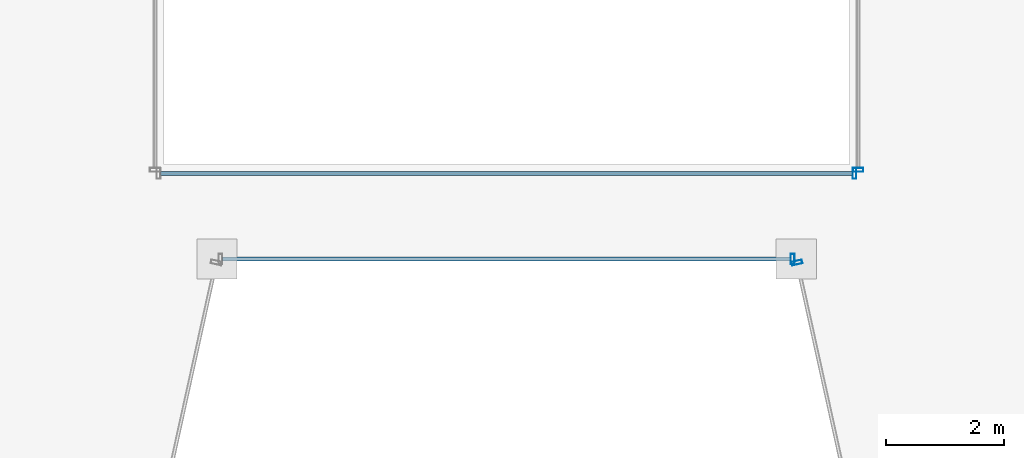
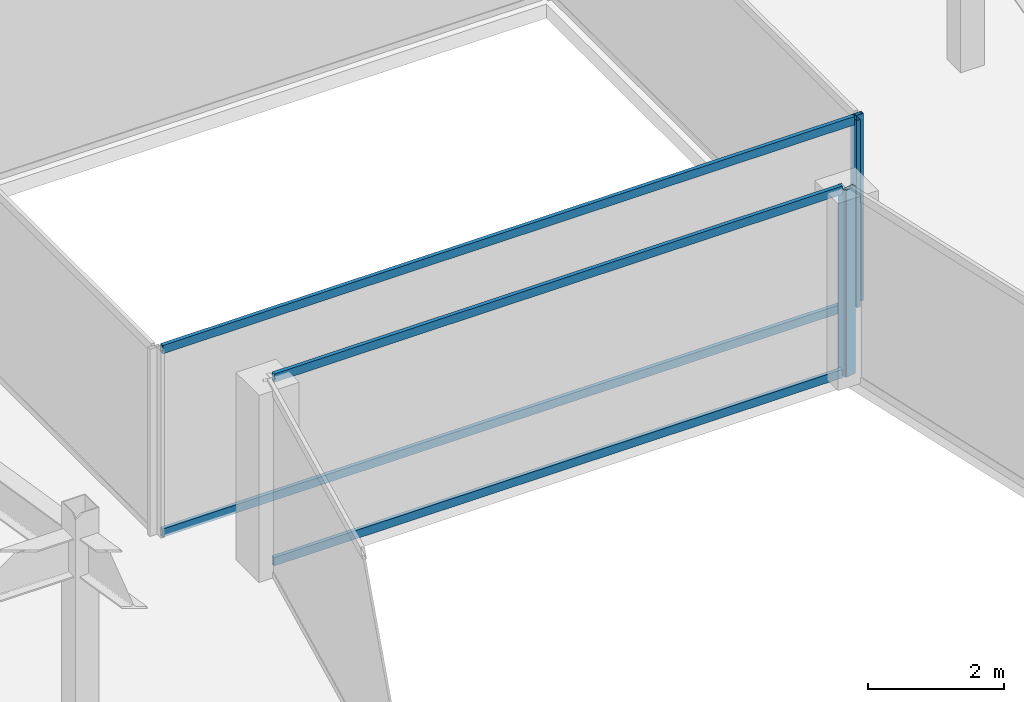
# One storey, part 8 of 34: 8 members, 4 elements without a shape of their own.
"""IFC4 building model written with IfcOpenShell, lengths in metres."""

from ifc_helpers import new_model, si_unit, direction, frame, origin, origin_2d, place, context, subcontext, project, spatial, hollow_rectangle, extrude, material, material_profile, profile_set, type_object, element, aggregate, save


model = new_model("IFC4")

# Units and contexts
model_context = context("Model", 3, precision=1e-05, world=origin(), true_north=direction((0.0, 1.0)))
body_context = subcontext(model_context, "Body", "Model", "MODEL_VIEW")
ifc_project = project(units=[si_unit("LENGTHUNIT", "METRE"), si_unit("AREAUNIT", "SQUARE_METRE"), si_unit("VOLUMEUNIT", "CUBIC_METRE"), si_unit("PLANEANGLEUNIT", "RADIAN"), si_unit("MASSUNIT", "GRAM", prefix="KILO")], contexts=[model_context])

# Site, building, storey
site_placement = place(None, origin())
site = spatial("IfcSite", under=ifc_project, at=site_placement, CompositionType="ELEMENT")
building_placement = place(site_placement, origin())
building = spatial("IfcBuilding", under=site, at=building_placement, Name="Saevonmaru Cultural Tower", CompositionType="ELEMENT")
storey_placement = place(building_placement, frame((0.0, 0.0, 220.800048828125)))
storey = spatial("IfcBuildingStorey", under=building, at=storey_placement, Name="L51", CompositionType="ELEMENT", Elevation=220.800048828125)

# Curtain wall, member
ifc_material = material(Name="Satin Bronze Anodised Aluminium", Category="aluminium")
curtain_wall_type_1 = type_object("IfcCurtainWallType", Name="CW-TYP-B", PredefinedType="NOTDEFINED", material=ifc_material)
curtain_wall_1_placement = place(storey_placement, origin())
curtain_wall_1 = element("IfcCurtainWall", 1, at=curtain_wall_1_placement, inside=storey, type_object=curtain_wall_type_1, Name="L51 Unitised Curtain Wall E4", PredefinedType="NOTDEFINED")
ifc_material_profile_1 = material_profile(ifc_material, hollow_rectangle(XDim=0.06494140625, YDim=0.179931640625, WallThickness=0.00390625, at=origin_2d()), Name="ALU-MULL-180x65x4")
ifc_profile_set_1 = profile_set([ifc_material_profile_1], Name="Satin Bronze Anodised Aluminium")
member_type_1 = type_object("IfcMemberType", Name="ML-CW-180x65", PredefinedType="MULLION", material=ifc_profile_set_1)
member_1_placement = place(storey_placement, frame((34.84228515625, 26.0, 0.0), z_axis=(0.0, 0.0, 1.0), x_axis=(1.0, 0.0, 0.0)))
member_1 = element("IfcMember", 2, at=member_1_placement, type_object=member_type_1, Name="CW-TW-L51-E4 mullion 2", PredefinedType="MULLION", context=body_context, shape_type="SweptSolid", body=[
    extrude(hollow_rectangle(XDim=0.06494140625, YDim=0.179931640625, WallThickness=0.00390625, at=origin_2d()), origin(), (0.0, 0.0, 1.0), 3.349853515625),
])

curtain_wall_2_placement = place(storey_placement, origin())
curtain_wall_2 = element("IfcCurtainWall", 3, at=curtain_wall_2_placement, inside=storey, type_object=curtain_wall_type_1, Name="L51 Unitised Curtain Wall E5", PredefinedType="NOTDEFINED")
member_2_placement = place(storey_placement, frame((34.9150390625, 25.94140625, 0.0), z_axis=(0.0, 0.0, 1.0), x_axis=(0.215413319953, -0.976522965212, 0.0)))
member_2 = element("IfcMember", 4, at=member_2_placement, type_object=member_type_1, Name="CW-TW-L51-E5 mullion 1", PredefinedType="MULLION", context=body_context, shape_type="SweptSolid", body=[
    extrude(hollow_rectangle(XDim=0.06494140625, YDim=0.179931640625, WallThickness=0.00390625, at=origin_2d()), origin(), (0.0, 0.0, 1.0), 3.349853515625),
])
aggregate(curtain_wall_2, [member_2])

curtain_wall_type_2 = type_object("IfcCurtainWallType", Name="CW-ATR-GLZ", PredefinedType="NOTDEFINED", material=ifc_material)
curtain_wall_3_placement = place(storey_placement, origin())
curtain_wall_3 = element("IfcCurtainWall", 5, at=curtain_wall_3_placement, inside=storey, type_object=curtain_wall_type_2, Name="L51 Vertical Atrium Glazed Smoke Screen 1", PredefinedType="NOTDEFINED")
ifc_material_profile_2 = material_profile(ifc_material, hollow_rectangle(XDim=0.06494140625, YDim=0.179931640625, WallThickness=0.00390625, at=origin_2d()), Name="ALU-MULL-180x65x4")
ifc_profile_set_2 = profile_set([ifc_material_profile_2], Name="Satin Bronze Anodised Aluminium")
member_type_2 = type_object("IfcMemberType", Name="ML-CW-INT-180x65", PredefinedType="MULLION", material=ifc_profile_set_2)
member_3_placement = place(storey_placement, frame((35.889892578125, 27.449951171875, 0.0), z_axis=(0.0, 0.0, 1.0), x_axis=(1.0, 0.0, 0.0)))
member_3 = element("IfcMember", 6, at=member_3_placement, type_object=member_type_2, Name="CW-ATR-L51-1 mullion 2", PredefinedType="MULLION", context=body_context, shape_type="SweptSolid", body=[
    extrude(hollow_rectangle(XDim=0.06494140625, YDim=0.179931640625, WallThickness=0.00390625, at=origin_2d()), origin(), (0.0, 0.0, 1.0), 3.349853515625),
])

curtain_wall_4_placement = place(storey_placement, origin())
curtain_wall_4 = element("IfcCurtainWall", 7, at=curtain_wall_4_placement, inside=storey, type_object=curtain_wall_type_2, Name="L51 Vertical Atrium Glazed Smoke Screen 2", PredefinedType="NOTDEFINED")
member_4_placement = place(storey_placement, frame((35.949951171875, 27.510009765625, 0.0), z_axis=(0.0, 0.0, 1.0), x_axis=(0.0, 1.0, 0.0)))
member_4 = element("IfcMember", 8, at=member_4_placement, type_object=member_type_2, Name="CW-ATR-L51-2 mullion 1", PredefinedType="MULLION", context=body_context, shape_type="SweptSolid", body=[
    extrude(hollow_rectangle(XDim=0.06494140625, YDim=0.179931640625, WallThickness=0.00390625, at=origin_2d()), origin(), (0.0, 0.0, 1.0), 3.349853515625),
])
aggregate(curtain_wall_4, [member_4])

# Member
ifc_material_profile_3 = material_profile(ifc_material, hollow_rectangle(XDim=0.06494140625, YDim=0.14990234375, WallThickness=0.00390625, at=origin_2d()), Name="ALU-TRAN-150x65x4")
ifc_profile_set_3 = profile_set([ifc_material_profile_3], Name="Satin Bronze Anodised Aluminium")
member_type_3 = type_object("IfcMemberType", Name="TR-CW-150x65", PredefinedType="USERDEFINED", material=ifc_profile_set_3)
member_5_placement = place(storey_placement, frame((25.190185546875, 26.0, 0.032470703125), z_axis=(1.0, 0.0, 0.0), x_axis=(0.0, 1.0, 0.0)))
member_5 = element("IfcMember", 9, at=member_5_placement, type_object=member_type_3, Name="CW-TW-L51-E4 transom 1.1", ObjectType="TRANSOM", PredefinedType="USERDEFINED", context=body_context, shape_type="SweptSolid", body=[
    extrude(hollow_rectangle(XDim=0.06494140625, YDim=0.14990234375, WallThickness=0.00390625, at=origin_2d()), origin(), (0.0, 0.0, 1.0), 9.61962890625),
])

member_6_placement = place(storey_placement, frame((25.190185546875, 26.0, 3.3173828125), z_axis=(1.0, 0.0, 0.0), x_axis=(0.0, 1.0, 0.0)))
member_6 = element("IfcMember", 10, at=member_6_placement, type_object=member_type_3, Name="CW-TW-L51-E4 transom 1.2", ObjectType="TRANSOM", PredefinedType="USERDEFINED", context=body_context, shape_type="SweptSolid", body=[
    extrude(hollow_rectangle(XDim=0.06494140625, YDim=0.14990234375, WallThickness=0.00390625, at=origin_2d()), origin(), (0.0, 0.0, 1.0), 9.61962890625),
])

aggregate(curtain_wall_1, [member_1, member_5, member_6])

ifc_material_profile_4 = material_profile(ifc_material, hollow_rectangle(XDim=0.06494140625, YDim=0.14990234375, WallThickness=0.00390625, at=origin_2d()), Name="ALU-TRAN-150x65x4")
ifc_profile_set_4 = profile_set([ifc_material_profile_4], Name="Satin Bronze Anodised Aluminium")
member_type_4 = type_object("IfcMemberType", Name="TR-CW-INT-150x65", PredefinedType="USERDEFINED", material=ifc_profile_set_4)
member_7_placement = place(storey_placement, frame((24.142578125, 27.449951171875, 0.032470703125), z_axis=(1.0, 0.0, 0.0), x_axis=(0.0, 1.0, 0.0)))
member_7 = element("IfcMember", 11, at=member_7_placement, type_object=member_type_4, Name="CW-ATR-L51-1 transom 1.1", ObjectType="TRANSOM", PredefinedType="USERDEFINED", context=body_context, shape_type="SweptSolid", body=[
    extrude(hollow_rectangle(XDim=0.06494140625, YDim=0.14990234375, WallThickness=0.00390625, at=origin_2d()), origin(), (0.0, 0.0, 1.0), 11.71484375),
])

member_8_placement = place(storey_placement, frame((24.142578125, 27.449951171875, 3.3173828125), z_axis=(1.0, 0.0, 0.0), x_axis=(0.0, 1.0, 0.0)))
member_8 = element("IfcMember", 12, at=member_8_placement, type_object=member_type_4, Name="CW-ATR-L51-1 transom 1.2", ObjectType="TRANSOM", PredefinedType="USERDEFINED", context=body_context, shape_type="SweptSolid", body=[
    extrude(hollow_rectangle(XDim=0.06494140625, YDim=0.14990234375, WallThickness=0.00390625, at=origin_2d()), origin(), (0.0, 0.0, 1.0), 11.71484375),
])

aggregate(curtain_wall_3, [member_3, member_7, member_8])

save(model, "model.ifc")
